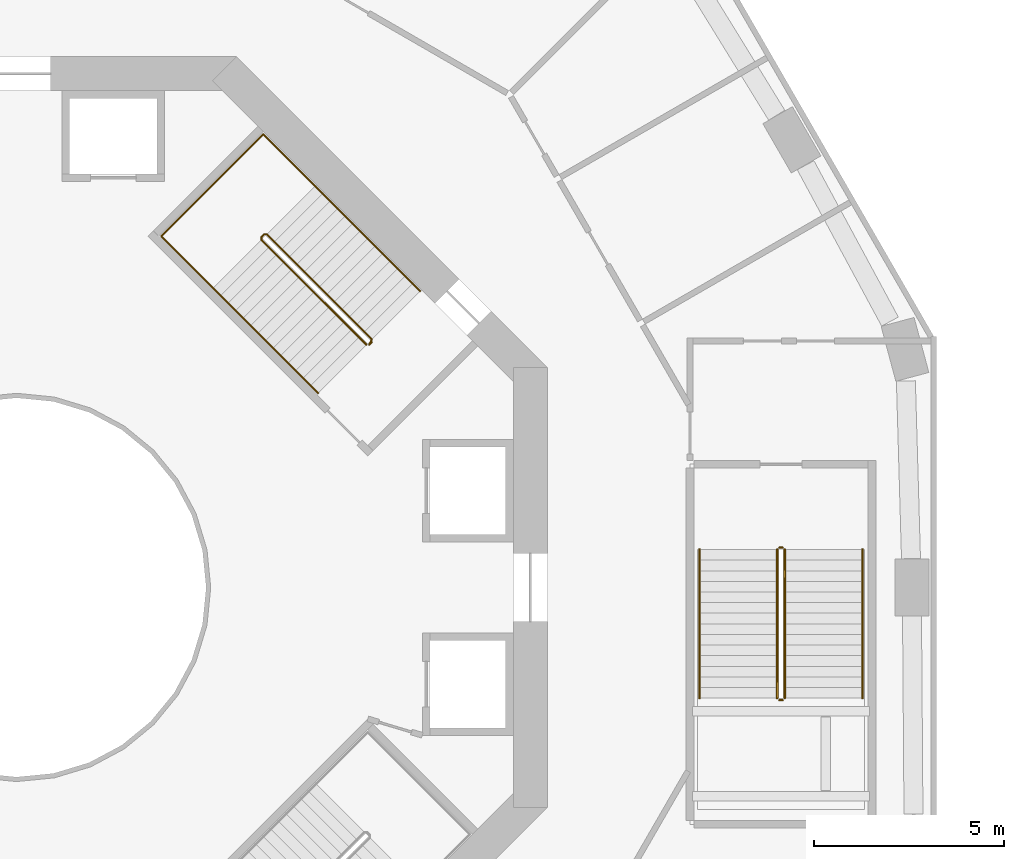
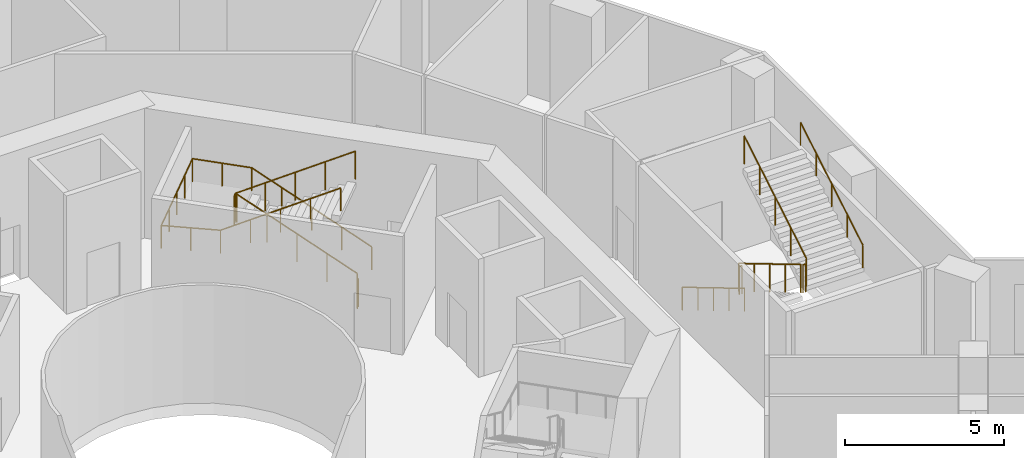
# One storey, part 21 of 24: 8 railings.
"""IFC4 building model written with IfcOpenShell, lengths in metres."""

from ifc_helpers import new_model, si_unit, direction, frame, origin, origin_2d, place, context, subcontext, project, spatial, circle, extrude, material, type_object, element, save


model = new_model("IFC4")

# Units and contexts
model_context = context("Model", 3, precision=1e-05, world=origin(), true_north=direction((0.0, 1.0)))
body_context = subcontext(model_context, "Body", "Model", "MODEL_VIEW")
ifc_project = project(units=[si_unit("LENGTHUNIT", "METRE"), si_unit("AREAUNIT", "SQUARE_METRE"), si_unit("VOLUMEUNIT", "CUBIC_METRE"), si_unit("PLANEANGLEUNIT", "RADIAN"), si_unit("MASSUNIT", "GRAM", prefix="KILO")], contexts=[model_context])

# Site, building, storey
site_placement = place(None, origin())
site = spatial("IfcSite", under=ifc_project, at=site_placement, CompositionType="ELEMENT")
building_placement = place(site_placement, origin())
building = spatial("IfcBuilding", under=site, at=building_placement, Name="Verdalira Terraces Hotel", CompositionType="ELEMENT")
storey_placement = place(building_placement, frame((0.0, 0.0, 14.0)))
storey = spatial("IfcBuildingStorey", under=building, at=storey_placement, Name="L02", CompositionType="ELEMENT", Elevation=14.0)

# Railings
ifc_material_1 = material(Name="Stainless steel", Category="steel")
railing_type_1 = type_object("IfcRailingType", Name="Stair guard 1100", PredefinedType="GUARDRAIL", material=ifc_material_1)
railing_1_placement = place(storey_placement, frame((9.369141, 6.469971, 0.0)))
element("IfcRailing", 1, at=railing_1_placement, inside=storey, type_object=railing_type_1, Name="L02 ST1 stair guard 1", PredefinedType="GUARDRAIL", context=body_context, shape_type="SweptSolid", body=[
    extrude(circle(Radius=0.023926, at=origin_2d()), frame((0.0, 0.0, 1.076172), z_axis=(-0.70832698, -0.705884473, 0.0), x_axis=(0.705884473, -0.70832698, 0.0)), (0.0, 0.0, 1.0), 0.099854),
    extrude(circle(Radius=0.023926, at=origin_2d()), frame((-0.070801, -0.070557, 1.076172), z_axis=(0.308122069, 0.615181649, 0.725680598), x_axis=(-0.894118129, 0.447831187, 0.0)), (0.0, 0.0, 1.0), 0.229736),
    extrude(circle(Radius=0.023926, at=origin_2d()), frame((0.0, 0.070801, 1.242676), z_axis=(-0.607609911, 0.607609911, 0.51148841), x_axis=(-0.707106781, -0.707106781, 0.0)), (0.0, 0.0, 1.0), 4.561768),
    extrude(circle(Radius=0.023926, at=origin_2d()), frame((-2.771729, 2.842529, 3.576172), z_axis=(-1.0, 0.0, 0.0), x_axis=(0.0, -1.0, 0.0)), (0.0, 0.0, 1.0), 0.070801),
    extrude(circle(Radius=0.023926, at=origin_2d()), frame((-2.842529, 2.842529, 3.576172), z_axis=(-0.70832698, -0.705884473, 0.0), x_axis=(0.705884473, -0.70832698, 0.0)), (0.0, 0.0, 1.0), 0.099854),
    extrude(circle(Radius=0.023926, at=origin_2d()), frame((-2.91333, 2.771973, 3.576172), z_axis=(0.0, -0.390826706, 0.920464277), x_axis=(1.0, 0.0, 0.0)), (0.0, 0.0, 1.0), 0.181152),
    extrude(circle(Radius=0.023926, at=origin_2d()), frame((-2.91333, 2.701172, 3.742676), z_axis=(0.60764367, -0.607590152, 0.511471777), x_axis=(0.70707564, 0.707137921, 0.0)), (0.0, 0.0, 1.0), 4.561768),
    extrude(circle(Radius=0.020996, at=origin_2d()), origin(), (0.0, 0.0, 1.0), 1.052002),
    extrude(circle(Radius=0.020996, at=origin_2d()), frame((-0.070801, -0.070557, 0.0)), (0.0, 0.0, 1.0), 1.052002),
    extrude(circle(Radius=0.020996, at=origin_2d()), frame((0.0, 0.070801, 0.166748)), (0.0, 0.0, 1.0), 1.052002),
    extrude(circle(Radius=0.020996, at=origin_2d()), frame((-0.692871, 0.763672, 0.75)), (0.0, 0.0, 1.0), 1.052002),
    extrude(circle(Radius=0.020996, at=origin_2d()), frame((-1.385742, 1.456543, 1.333496)), (0.0, 0.0, 1.0), 1.052002),
    extrude(circle(Radius=0.020996, at=origin_2d()), frame((-2.078857, 2.149658, 1.916748)), (0.0, 0.0, 1.0), 1.052002),
    extrude(circle(Radius=0.020996, at=origin_2d()), frame((-2.771729, 2.842529, 2.5)), (0.0, 0.0, 1.0), 1.052002),
    extrude(circle(Radius=0.020996, at=origin_2d()), frame((-2.842529, 2.842529, 2.5)), (0.0, 0.0, 1.0), 1.052002),
    extrude(circle(Radius=0.020996, at=origin_2d()), frame((-2.91333, 2.771973, 2.5)), (0.0, 0.0, 1.0), 1.052002),
    extrude(circle(Radius=0.020996, at=origin_2d()), frame((-2.91333, 2.701172, 2.666748)), (0.0, 0.0, 1.0), 1.052002),
    extrude(circle(Radius=0.020996, at=origin_2d()), frame((-2.220215, 2.008301, 3.25)), (0.0, 0.0, 1.0), 1.052002),
    extrude(circle(Radius=0.020996, at=origin_2d()), frame((-1.527344, 1.31543, 3.833496)), (0.0, 0.0, 1.0), 1.052002),
    extrude(circle(Radius=0.020996, at=origin_2d()), frame((-0.834473, 0.622314, 4.416748)), (0.0, 0.0, 1.0), 1.052002),
    extrude(circle(Radius=0.020996, at=origin_2d()), frame((-0.141357, -0.070557, 5.0)), (0.0, 0.0, 1.0), 1.052002),
])
railing_2_placement = place(storey_placement, frame((20.05835, 1.0, 0.166748)))
element("IfcRailing", 2, at=railing_2_placement, inside=storey, type_object=railing_type_1, Name="L02 PS4 stair guard 1", PredefinedType="GUARDRAIL", context=body_context, shape_type="SweptSolid", body=[
    extrude(circle(Radius=0.023926, at=origin_2d()), frame((0.0, 0.0, 1.076172), z_axis=(0.0, -0.859296245, 0.511478214), x_axis=(1.0, 0.0, 0.0)), (0.0, 0.0, 1.0), 4.561768),
    extrude(circle(Radius=0.020996, at=origin_2d()), origin(), (0.0, 0.0, 1.0), 1.052002),
    extrude(circle(Radius=0.020996, at=origin_2d()), frame((0.0, -0.97998, 0.583252)), (0.0, 0.0, 1.0), 1.052002),
    extrude(circle(Radius=0.020996, at=origin_2d()), frame((0.0, -1.959961, 1.166504)), (0.0, 0.0, 1.0), 1.052002),
    extrude(circle(Radius=0.020996, at=origin_2d()), frame((0.0, -2.939941, 1.75)), (0.0, 0.0, 1.0), 1.052002),
    extrude(circle(Radius=0.020996, at=origin_2d()), frame((0.0, -3.919922, 2.333252)), (0.0, 0.0, 1.0), 1.052002),
])
railing_3_placement = place(storey_placement, frame((20.108398, -2.969971, 2.5)))
element("IfcRailing", 3, at=railing_3_placement, inside=storey, type_object=railing_type_1, Name="L02 PS4 stair guard 2", PredefinedType="GUARDRAIL", context=body_context, shape_type="SweptSolid", body=[
    extrude(circle(Radius=0.023926, at=origin_2d()), frame((0.0, 0.0, 1.076172), z_axis=(1.0, 0.0, 0.0), x_axis=(0.0, 1.0, 0.0)), (0.0, 0.0, 1.0), 0.099854),
    extrude(circle(Radius=0.020996, at=origin_2d()), origin(), (0.0, 0.0, 1.0), 1.052002),
    extrude(circle(Radius=0.020996, at=origin_2d()), frame((0.099854, 0.0, 0.0)), (0.0, 0.0, 1.0), 1.052002),
])
railing_4_placement = place(storey_placement, frame((20.258301, -2.919922, 2.666748)))
element("IfcRailing", 4, at=railing_4_placement, inside=storey, type_object=railing_type_1, Name="L02 PS4 stair guard 3", PredefinedType="GUARDRAIL", context=body_context, shape_type="SweptSolid", body=[
    extrude(circle(Radius=0.023926, at=origin_2d()), frame((0.0, 0.0, 1.076172), z_axis=(0.0, 0.859296245, 0.511478214), x_axis=(-1.0, 0.0, 0.0)), (0.0, 0.0, 1.0), 4.561768),
    extrude(circle(Radius=0.020996, at=origin_2d()), origin(), (0.0, 0.0, 1.0), 1.052002),
    extrude(circle(Radius=0.020996, at=origin_2d()), frame((0.0, 0.97998, 0.583252)), (0.0, 0.0, 1.0), 1.052002),
    extrude(circle(Radius=0.020996, at=origin_2d()), frame((0.0, 1.959961, 1.166504)), (0.0, 0.0, 1.0), 1.052002),
    extrude(circle(Radius=0.020996, at=origin_2d()), frame((0.0, 2.939941, 1.75)), (0.0, 0.0, 1.0), 1.052002),
    extrude(circle(Radius=0.020996, at=origin_2d()), frame((0.0, 3.919922, 2.333252)), (0.0, 0.0, 1.0), 1.052002),
])
railing_5_placement = place(storey_placement, frame((20.108398, 1.050049, 0.0)))
element("IfcRailing", 5, at=railing_5_placement, inside=storey, type_object=railing_type_1, Name="L02 PS4 stair guard 4", PredefinedType="GUARDRAIL", context=body_context, shape_type="SweptSolid", body=[
    extrude(circle(Radius=0.023926, at=origin_2d()), frame((0.0, 0.0, 1.076172), z_axis=(1.0, 0.0, 0.0), x_axis=(0.0, 1.0, 0.0)), (0.0, 0.0, 1.0), 0.099854),
    extrude(circle(Radius=0.020996, at=origin_2d()), origin(), (0.0, 0.0, 1.0), 1.052002),
    extrude(circle(Radius=0.020996, at=origin_2d()), frame((0.099854, 0.0, 0.0)), (0.0, 0.0, 1.0), 1.052002),
])
ifc_material_2 = material(Name="Stainless steel", Category="steel")
railing_type_2 = type_object("IfcRailingType", Name="Stair handrail 900", PredefinedType="HANDRAIL", material=ifc_material_2)
railing_6_placement = place(storey_placement, frame((10.641846, 7.813477, 0.166748)))
element("IfcRailing", 6, at=railing_6_placement, inside=storey, type_object=railing_type_2, Name="L02 ST1 stair handrail 1", PredefinedType="HANDRAIL", context=body_context, shape_type="SweptSolid", body=[
    extrude(circle(Radius=0.023926, at=origin_2d()), frame((0.0, 0.0, 0.875977), z_axis=(-0.607590152, 0.60764367, 0.511471777), x_axis=(-0.707137921, -0.70707564, 0.0)), (0.0, 0.0, 1.0), 4.561768),
    extrude(circle(Radius=0.023926, at=origin_2d()), frame((-2.771729, 2.771973, 3.208984), z_axis=(-0.707106781, 0.707106781, 0.0), x_axis=(-0.707106781, -0.707106781, 0.0)), (0.0, 0.0, 1.0), 1.929932),
    extrude(circle(Radius=0.023926, at=origin_2d()), frame((-4.136475, 4.136719, 3.208984), z_axis=(-0.707106781, -0.707106781, 0.0), x_axis=(0.707106781, -0.707106781, 0.0)), (0.0, 0.0, 1.0), 3.800049),
    extrude(circle(Radius=0.023926, at=origin_2d()), frame((-6.823486, 1.449707, 3.208984), z_axis=(0.704482443, -0.704482443, 0.086075404), x_axis=(0.707106781, 0.707106781, 0.0)), (0.0, 0.0, 1.0), 1.937256),
    extrude(circle(Radius=0.023926, at=origin_2d()), frame((-5.45874, 0.084961, 3.375977), z_axis=(0.607590152, -0.60764367, 0.511471777), x_axis=(0.707137921, 0.70707564, 0.0)), (0.0, 0.0, 1.0), 4.561768),
    extrude(circle(Radius=0.020996, at=origin_2d()), origin(), (0.0, 0.0, 1.0), 0.851807),
    extrude(circle(Radius=0.020996, at=origin_2d()), frame((-0.692871, 0.692871, 0.583252)), (0.0, 0.0, 1.0), 0.851807),
    extrude(circle(Radius=0.020996, at=origin_2d()), frame((-1.385742, 1.385986, 1.166504)), (0.0, 0.0, 1.0), 0.851807),
    extrude(circle(Radius=0.020996, at=origin_2d()), frame((-2.078857, 2.079102, 1.75)), (0.0, 0.0, 1.0), 0.851807),
    extrude(circle(Radius=0.020996, at=origin_2d()), frame((-2.771729, 2.771973, 2.333252)), (0.0, 0.0, 1.0), 0.851807),
    extrude(circle(Radius=0.020996, at=origin_2d()), frame((-3.454102, 3.454346, 2.333252)), (0.0, 0.0, 1.0), 0.851807),
    extrude(circle(Radius=0.020996, at=origin_2d()), frame((-4.136475, 4.136719, 2.333252)), (0.0, 0.0, 1.0), 0.851807),
    extrude(circle(Radius=0.020996, at=origin_2d()), frame((-4.808105, 3.464844, 2.333252)), (0.0, 0.0, 1.0), 0.851807),
    extrude(circle(Radius=0.020996, at=origin_2d()), frame((-5.47998, 2.793213, 2.333252)), (0.0, 0.0, 1.0), 0.851807),
    extrude(circle(Radius=0.020996, at=origin_2d()), frame((-6.151855, 2.121582, 2.333252)), (0.0, 0.0, 1.0), 0.851807),
    extrude(circle(Radius=0.020996, at=origin_2d()), frame((-6.823486, 1.449707, 2.333252)), (0.0, 0.0, 1.0), 0.851807),
    extrude(circle(Radius=0.020996, at=origin_2d()), frame((-6.141113, 0.767334, 2.416504)), (0.0, 0.0, 1.0), 0.851807),
    extrude(circle(Radius=0.020996, at=origin_2d()), frame((-5.45874, 0.084961, 2.5)), (0.0, 0.0, 1.0), 0.851807),
    extrude(circle(Radius=0.020996, at=origin_2d()), frame((-4.765869, -0.60791, 3.083252)), (0.0, 0.0, 1.0), 0.851807),
    extrude(circle(Radius=0.020996, at=origin_2d()), frame((-4.072754, -1.301025, 3.666504)), (0.0, 0.0, 1.0), 0.851807),
    extrude(circle(Radius=0.020996, at=origin_2d()), frame((-3.379883, -1.994141, 4.25)), (0.0, 0.0, 1.0), 0.851807),
    extrude(circle(Radius=0.020996, at=origin_2d()), frame((-2.687012, -2.687012, 4.833252)), (0.0, 0.0, 1.0), 0.851807),
])
railing_7_placement = place(storey_placement, frame((18.008301, 1.0, 0.166748)))
element("IfcRailing", 7, at=railing_7_placement, inside=storey, type_object=railing_type_2, Name="L02 PS4 stair handrail 1", PredefinedType="HANDRAIL", context=body_context, shape_type="SweptSolid", body=[
    extrude(circle(Radius=0.023926, at=origin_2d()), frame((0.0, 0.0, 0.875977), z_axis=(0.0, -0.859296245, 0.511478214), x_axis=(1.0, 0.0, 0.0)), (0.0, 0.0, 1.0), 4.561768),
    extrude(circle(Radius=0.020996, at=origin_2d()), origin(), (0.0, 0.0, 1.0), 0.851807),
    extrude(circle(Radius=0.020996, at=origin_2d()), frame((0.0, -0.97998, 0.583252)), (0.0, 0.0, 1.0), 0.851807),
    extrude(circle(Radius=0.020996, at=origin_2d()), frame((0.0, -1.959961, 1.166504)), (0.0, 0.0, 1.0), 0.851807),
    extrude(circle(Radius=0.020996, at=origin_2d()), frame((0.0, -2.939941, 1.75)), (0.0, 0.0, 1.0), 0.851807),
    extrude(circle(Radius=0.020996, at=origin_2d()), frame((0.0, -3.919922, 2.333252)), (0.0, 0.0, 1.0), 0.851807),
])
railing_8_placement = place(storey_placement, frame((22.30835, -2.919922, 2.666748)))
element("IfcRailing", 8, at=railing_8_placement, inside=storey, type_object=railing_type_2, Name="L02 PS4 stair handrail 2", PredefinedType="HANDRAIL", context=body_context, shape_type="SweptSolid", body=[
    extrude(circle(Radius=0.023926, at=origin_2d()), frame((0.0, 0.0, 0.875977), z_axis=(0.0, 0.859296245, 0.511478214), x_axis=(-1.0, 0.0, 0.0)), (0.0, 0.0, 1.0), 4.561768),
    extrude(circle(Radius=0.020996, at=origin_2d()), origin(), (0.0, 0.0, 1.0), 0.851807),
    extrude(circle(Radius=0.020996, at=origin_2d()), frame((0.0, 0.97998, 0.583252)), (0.0, 0.0, 1.0), 0.851807),
    extrude(circle(Radius=0.020996, at=origin_2d()), frame((0.0, 1.959961, 1.166504)), (0.0, 0.0, 1.0), 0.851807),
    extrude(circle(Radius=0.020996, at=origin_2d()), frame((0.0, 2.939941, 1.75)), (0.0, 0.0, 1.0), 0.851807),
    extrude(circle(Radius=0.020996, at=origin_2d()), frame((0.0, 3.919922, 2.333252)), (0.0, 0.0, 1.0), 0.851807),
])

save(model, "model.ifc")
